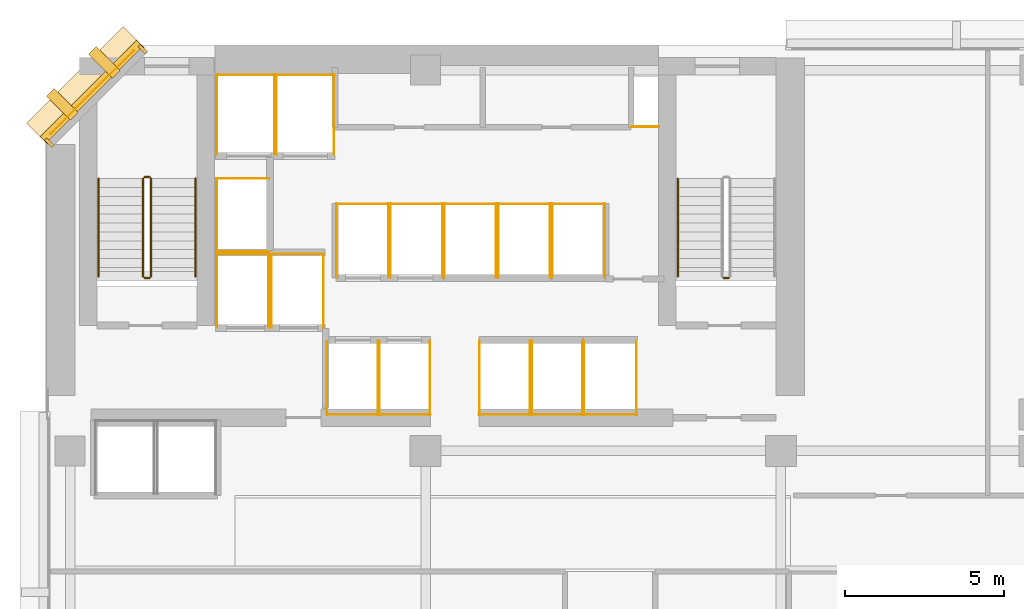
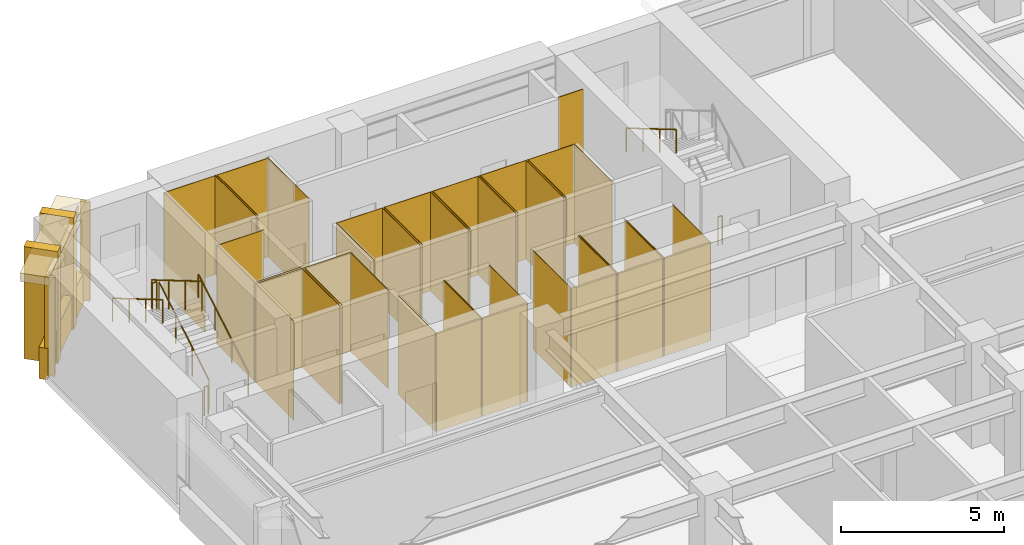
# One storey, part 11 of 13: 53 coverings, 8 railings.
"""IFC4 building model written with IfcOpenShell, lengths in metres."""

from ifc_helpers import new_model, si_unit, direction, frame, origin, origin_2d, place, context, subcontext, project, spatial, polyline, rectangle, circle, outline, extrude, material, layer, layer_set, type_object, element, save


model = new_model("IFC4")

# Units and contexts
model_context = context("Model", 3, precision=1e-05, world=origin(), true_north=direction((0.0, 1.0)))
body_context = subcontext(model_context, "Body", "Model", "MODEL_VIEW")
ifc_project = project(units=[si_unit("LENGTHUNIT", "METRE"), si_unit("AREAUNIT", "SQUARE_METRE"), si_unit("VOLUMEUNIT", "CUBIC_METRE"), si_unit("PLANEANGLEUNIT", "RADIAN"), si_unit("MASSUNIT", "GRAM", prefix="KILO")], contexts=[model_context])

# Site, building, storey
site_placement = place(None, origin())
site = spatial("IfcSite", under=ifc_project, at=site_placement, CompositionType="ELEMENT")
building_placement = place(site_placement, origin())
building = spatial("IfcBuilding", under=site, at=building_placement, Name="Kefirva Bronze Tower", CompositionType="ELEMENT")
storey_placement = place(building_placement, frame((0.0, 0.0, 69.9599609375)))
storey = spatial("IfcBuildingStorey", under=building, at=storey_placement, Name="L16", CompositionType="ELEMENT", Elevation=69.9599609375)

# Coverings
ifc_material_1 = material(Name="Bronze anodised aluminium", Category="aluminium")
ifc_layer_1 = layer(ifc_material_1, 0.02001953125, Name="Bronze anodised aluminium")
ifc_layer_set_1 = layer_set([ifc_layer_1], Name="Bronze anodised aluminium")
covering_type_1 = type_object("IfcCoveringType", Name="Anodised Bronze Spandrel Cladding 20mm", PredefinedType="CLADDING", material=ifc_layer_set_1)
covering_1_placement = place(storey_placement, frame((1.492919921875, 44.507080078125, 3.2900390625), z_axis=(0.0, 0.0, 1.0), x_axis=(-0.707106781187, -0.707106781187, 0.0)))
element("IfcCovering", 1, at=covering_1_placement, inside=storey, type_object=covering_type_1, Name="L16 Bronze Spandrel Cladding 6", PredefinedType="CLADDING", context=body_context, shape_type="SweptSolid", body=[
    extrude(rectangle(XDim=3.719482421875, YDim=0.02001953125, at=origin_2d()), origin(), (0.0, 0.0, 1.0), 0.39990234375),
])
for number, where, z_axis, x_axis, name in (
    (2, (3.08837890625, 45.862060546875, 0.0), (0.0, 0.0, 1.0), (-0.707106781187, -0.707106781187, 0.0), "L16 Facade Joint Closure Panel 6S"),
    (3, (0.137939453125, 42.91162109375, 0.0), (0.0, 0.0, 1.0), (-0.707106781187, -0.707106781187, 0.0), "L16 Facade Joint Closure Panel 6E"),
):
    element("IfcCovering", number, at=place(storey_placement, frame(where, z_axis=z_axis, x_axis=x_axis)), inside=storey, type_object=covering_type_1, Name=name, PredefinedType="CLADDING", context=body_context, shape_type="SweptSolid", body=[
        extrude(rectangle(XDim=0.10009765625, YDim=0.320068359375, at=origin_2d()), origin(), (0.0, 0.0, 1.0), 3.7099609375),
    ])
covering_2_placement = place(storey_placement, frame((1.4716796875, 44.5283203125, -0.16015625), z_axis=(0.0, 0.0, 1.0), x_axis=(-0.707106781187, -0.707106781187, 0.0)))
element("IfcCovering", 4, at=covering_2_placement, inside=storey, type_object=covering_type_1, Name="L16 Streamline Horizontal Spandrel Band 9", PredefinedType="CLADDING", context=body_context, shape_type="SweptSolid", body=[
    extrude(rectangle(XDim=4.28271484375, YDim=0.280029296875, at=origin_2d()), origin(), (0.0, 0.0, 1.0), 1.179931640625),
])
covering_3_placement = place(storey_placement, origin())
element("IfcCovering", 5, at=covering_3_placement, inside=storey, type_object=covering_type_1, Name="L16 Lift FF1 Hoistway Liner N", PredefinedType="CLADDING", context=body_context, shape_type="SweptSolid", body=[
    extrude(outline(polyline([(5.39990234375, 39.389892578125), (7.080078125, 39.389892578125), (7.080078125, 39.409912109375), (5.39990234375, 39.409912109375), (5.39990234375, 39.389892578125)])), origin(), (0.0, 0.0, 1.0), 3.7099609375),
])
covering_4_placement = place(storey_placement, origin())
element("IfcCovering", 6, at=covering_4_placement, inside=storey, type_object=covering_type_1, Name="L16 Lift FF1 Hoistway Liner W", PredefinedType="CLADDING", context=body_context, shape_type="SweptSolid", body=[
    extrude(outline(polyline([(5.409912109375, 37.080078125), (5.429931640625, 37.080078125), (5.429931640625, 39.419921875), (5.409912109375, 39.419921875), (5.409912109375, 37.080078125)])), origin(), (0.0, 0.0, 1.0), 3.7099609375),
])
covering_5_placement = place(storey_placement, origin())
element("IfcCovering", 7, at=covering_5_placement, inside=storey, type_object=covering_type_1, Name="L16 Lift FF1 Hoistway Liner E", PredefinedType="CLADDING", context=body_context, shape_type="SweptSolid", body=[
    extrude(outline(polyline([(7.050048828125, 37.080078125), (7.070068359375, 37.080078125), (7.070068359375, 39.419921875), (7.050048828125, 39.419921875), (7.050048828125, 37.080078125)])), origin(), (0.0, 0.0, 1.0), 3.7099609375),
])
covering_6_placement = place(storey_placement, origin())
element("IfcCovering", 8, at=covering_6_placement, inside=storey, type_object=covering_type_1, Name="L16 Lift FF2 Hoistway Liner N", PredefinedType="CLADDING", context=body_context, shape_type="SweptSolid", body=[
    extrude(outline(polyline([(7.1201171875, 39.389892578125), (8.800048828125, 39.389892578125), (8.800048828125, 39.409912109375), (7.1201171875, 39.409912109375), (7.1201171875, 39.389892578125)])), origin(), (0.0, 0.0, 1.0), 3.7099609375),
])
covering_7_placement = place(storey_placement, origin())
element("IfcCovering", 9, at=covering_7_placement, inside=storey, type_object=covering_type_1, Name="L16 Lift FF2 Hoistway Liner W", PredefinedType="CLADDING", context=body_context, shape_type="SweptSolid", body=[
    extrude(outline(polyline([(7.1298828125, 37.080078125), (7.14990234375, 37.080078125), (7.14990234375, 39.419921875), (7.1298828125, 39.419921875), (7.1298828125, 37.080078125)])), origin(), (0.0, 0.0, 1.0), 3.7099609375),
])
covering_8_placement = place(storey_placement, origin())
element("IfcCovering", 10, at=covering_8_placement, inside=storey, type_object=covering_type_1, Name="L16 Lift FF2 Hoistway Liner E", PredefinedType="CLADDING", context=body_context, shape_type="SweptSolid", body=[
    extrude(outline(polyline([(8.77001953125, 37.080078125), (8.7900390625, 37.080078125), (8.7900390625, 39.419921875), (8.77001953125, 39.419921875), (8.77001953125, 37.080078125)])), origin(), (0.0, 0.0, 1.0), 3.7099609375),
])
covering_9_placement = place(storey_placement, origin())
element("IfcCovering", 11, at=covering_9_placement, inside=storey, type_object=covering_type_1, Name="L16 Lift SV1 Hoistway Liner N", PredefinedType="CLADDING", context=body_context, shape_type="SweptSolid", body=[
    extrude(outline(polyline([(5.39990234375, 45.0400390625), (7.260009765625, 45.0400390625), (7.260009765625, 45.06005859375), (5.39990234375, 45.06005859375), (5.39990234375, 45.0400390625)])), origin(), (0.0, 0.0, 1.0), 3.7099609375),
])
covering_10_placement = place(storey_placement, origin())
element("IfcCovering", 12, at=covering_10_placement, inside=storey, type_object=covering_type_1, Name="L16 Lift SV1 Hoistway Liner W", PredefinedType="CLADDING", context=body_context, shape_type="SweptSolid", body=[
    extrude(outline(polyline([(5.409912109375, 42.530029296875), (5.429931640625, 42.530029296875), (5.429931640625, 45.070068359375), (5.409912109375, 45.070068359375), (5.409912109375, 42.530029296875)])), origin(), (0.0, 0.0, 1.0), 3.7099609375),
])
covering_11_placement = place(storey_placement, origin())
element("IfcCovering", 13, at=covering_11_placement, inside=storey, type_object=covering_type_1, Name="L16 Lift SV1 Hoistway Liner E", PredefinedType="CLADDING", context=body_context, shape_type="SweptSolid", body=[
    extrude(outline(polyline([(7.22998046875, 42.530029296875), (7.25, 42.530029296875), (7.25, 45.070068359375), (7.22998046875, 45.070068359375), (7.22998046875, 42.530029296875)])), origin(), (0.0, 0.0, 1.0), 3.7099609375),
])
covering_12_placement = place(storey_placement, origin())
element("IfcCovering", 14, at=covering_12_placement, inside=storey, type_object=covering_type_1, Name="L16 Lift SV2 Hoistway Liner N", PredefinedType="CLADDING", context=body_context, shape_type="SweptSolid", body=[
    extrude(outline(polyline([(7.280029296875, 45.0400390625), (9.139892578125, 45.0400390625), (9.139892578125, 45.06005859375), (7.280029296875, 45.06005859375), (7.280029296875, 45.0400390625)])), origin(), (0.0, 0.0, 1.0), 3.7099609375),
])
covering_13_placement = place(storey_placement, origin())
element("IfcCovering", 15, at=covering_13_placement, inside=storey, type_object=covering_type_1, Name="L16 Lift SV2 Hoistway Liner W", PredefinedType="CLADDING", context=body_context, shape_type="SweptSolid", body=[
    extrude(outline(polyline([(7.2900390625, 42.530029296875), (7.31005859375, 42.530029296875), (7.31005859375, 45.070068359375), (7.2900390625, 45.070068359375), (7.2900390625, 42.530029296875)])), origin(), (0.0, 0.0, 1.0), 3.7099609375),
])
covering_14_placement = place(storey_placement, origin())
element("IfcCovering", 16, at=covering_14_placement, inside=storey, type_object=covering_type_1, Name="L16 Lift SV2 Hoistway Liner E", PredefinedType="CLADDING", context=body_context, shape_type="SweptSolid", body=[
    extrude(outline(polyline([(9.110107421875, 42.530029296875), (9.1298828125, 42.530029296875), (9.1298828125, 45.070068359375), (9.110107421875, 45.070068359375), (9.110107421875, 42.530029296875)])), origin(), (0.0, 0.0, 1.0), 3.7099609375),
])
covering_15_placement = place(storey_placement, origin())
element("IfcCovering", 17, at=covering_15_placement, inside=storey, type_object=covering_type_1, Name="L16 Lift LP1 Hoistway Liner S", PredefinedType="CLADDING", context=body_context, shape_type="SweptSolid", body=[
    extrude(outline(polyline([(8.8798828125, 34.340087890625), (10.52001953125, 34.340087890625), (10.52001953125, 34.360107421875), (8.8798828125, 34.360107421875), (8.8798828125, 34.340087890625)])), origin(), (0.0, 0.0, 1.0), 3.7099609375),
])
covering_16_placement = place(storey_placement, origin())
element("IfcCovering", 18, at=covering_16_placement, inside=storey, type_object=covering_type_1, Name="L16 Lift LP1 Hoistway Liner W", PredefinedType="CLADDING", context=body_context, shape_type="SweptSolid", body=[
    extrude(outline(polyline([(8.889892578125, 34.330078125), (8.909912109375, 34.330078125), (8.909912109375, 36.669921875), (8.889892578125, 36.669921875), (8.889892578125, 34.330078125)])), origin(), (0.0, 0.0, 1.0), 3.7099609375),
])
covering_17_placement = place(storey_placement, origin())
element("IfcCovering", 19, at=covering_17_placement, inside=storey, type_object=covering_type_1, Name="L16 Lift LP1 Hoistway Liner E", PredefinedType="CLADDING", context=body_context, shape_type="SweptSolid", body=[
    extrude(outline(polyline([(10.489990234375, 34.330078125), (10.510009765625, 34.330078125), (10.510009765625, 36.669921875), (10.489990234375, 36.669921875), (10.489990234375, 34.330078125)])), origin(), (0.0, 0.0, 1.0), 3.7099609375),
])
covering_18_placement = place(storey_placement, origin())
element("IfcCovering", 20, at=covering_18_placement, inside=storey, type_object=covering_type_1, Name="L16 Lift LP2 Hoistway Liner S", PredefinedType="CLADDING", context=body_context, shape_type="SweptSolid", body=[
    extrude(outline(polyline([(10.52001953125, 34.340087890625), (12.159912109375, 34.340087890625), (12.159912109375, 34.360107421875), (10.52001953125, 34.360107421875), (10.52001953125, 34.340087890625)])), origin(), (0.0, 0.0, 1.0), 3.7099609375),
])
covering_19_placement = place(storey_placement, origin())
element("IfcCovering", 21, at=covering_19_placement, inside=storey, type_object=covering_type_1, Name="L16 Lift LP2 Hoistway Liner W", PredefinedType="CLADDING", context=body_context, shape_type="SweptSolid", body=[
    extrude(outline(polyline([(10.530029296875, 34.330078125), (10.550048828125, 34.330078125), (10.550048828125, 36.669921875), (10.530029296875, 36.669921875), (10.530029296875, 34.330078125)])), origin(), (0.0, 0.0, 1.0), 3.7099609375),
])
covering_20_placement = place(storey_placement, origin())
element("IfcCovering", 22, at=covering_20_placement, inside=storey, type_object=covering_type_1, Name="L16 Lift LP2 Hoistway Liner E", PredefinedType="CLADDING", context=body_context, shape_type="SweptSolid", body=[
    extrude(outline(polyline([(12.1298828125, 34.330078125), (12.14990234375, 34.330078125), (12.14990234375, 36.669921875), (12.1298828125, 36.669921875), (12.1298828125, 34.330078125)])), origin(), (0.0, 0.0, 1.0), 3.7099609375),
])
covering_21_placement = place(storey_placement, origin())
element("IfcCovering", 23, at=covering_21_placement, inside=storey, type_object=covering_type_1, Name="L16 Lift LP3 Hoistway Liner N", PredefinedType="CLADDING", context=body_context, shape_type="SweptSolid", body=[
    extrude(outline(polyline([(9.179931640625, 40.969970703125), (10.85009765625, 40.969970703125), (10.85009765625, 40.989990234375), (9.179931640625, 40.989990234375), (9.179931640625, 40.969970703125)])), origin(), (0.0, 0.0, 1.0), 3.7099609375),
])
covering_22_placement = place(storey_placement, origin())
element("IfcCovering", 24, at=covering_22_placement, inside=storey, type_object=covering_type_1, Name="L16 Lift LP3 Hoistway Liner W", PredefinedType="CLADDING", context=body_context, shape_type="SweptSolid", body=[
    extrude(outline(polyline([(9.18994140625, 38.659912109375), (9.2099609375, 38.659912109375), (9.2099609375, 41.0), (9.18994140625, 41.0), (9.18994140625, 38.659912109375)])), origin(), (0.0, 0.0, 1.0), 3.7099609375),
])
covering_23_placement = place(storey_placement, origin())
element("IfcCovering", 25, at=covering_23_placement, inside=storey, type_object=covering_type_1, Name="L16 Lift LP3 Hoistway Liner E", PredefinedType="CLADDING", context=body_context, shape_type="SweptSolid", body=[
    extrude(outline(polyline([(10.820068359375, 38.659912109375), (10.840087890625, 38.659912109375), (10.840087890625, 41.0), (10.820068359375, 41.0), (10.820068359375, 38.659912109375)])), origin(), (0.0, 0.0, 1.0), 3.7099609375),
])
covering_24_placement = place(storey_placement, origin())
element("IfcCovering", 26, at=covering_24_placement, inside=storey, type_object=covering_type_1, Name="L16 Lift LP4 Hoistway Liner N", PredefinedType="CLADDING", context=body_context, shape_type="SweptSolid", body=[
    extrude(outline(polyline([(10.8798828125, 40.969970703125), (12.550048828125, 40.969970703125), (12.550048828125, 40.989990234375), (10.8798828125, 40.989990234375), (10.8798828125, 40.969970703125)])), origin(), (0.0, 0.0, 1.0), 3.7099609375),
])
covering_25_placement = place(storey_placement, origin())
element("IfcCovering", 27, at=covering_25_placement, inside=storey, type_object=covering_type_1, Name="L16 Lift LP4 Hoistway Liner W", PredefinedType="CLADDING", context=body_context, shape_type="SweptSolid", body=[
    extrude(outline(polyline([(10.889892578125, 38.659912109375), (10.909912109375, 38.659912109375), (10.909912109375, 41.0), (10.889892578125, 41.0), (10.889892578125, 38.659912109375)])), origin(), (0.0, 0.0, 1.0), 3.7099609375),
])
covering_26_placement = place(storey_placement, origin())
element("IfcCovering", 28, at=covering_26_placement, inside=storey, type_object=covering_type_1, Name="L16 Lift LP4 Hoistway Liner E", PredefinedType="CLADDING", context=body_context, shape_type="SweptSolid", body=[
    extrude(outline(polyline([(12.52001953125, 38.659912109375), (12.5400390625, 38.659912109375), (12.5400390625, 41.0), (12.52001953125, 41.0), (12.52001953125, 38.659912109375)])), origin(), (0.0, 0.0, 1.0), 3.7099609375),
])
covering_27_placement = place(storey_placement, origin())
element("IfcCovering", 29, at=covering_27_placement, inside=storey, type_object=covering_type_1, Name="L16 Lift MP1 Hoistway Liner S", PredefinedType="CLADDING", context=body_context, shape_type="SweptSolid", body=[
    extrude(outline(polyline([(13.679931640625, 34.340087890625), (15.320068359375, 34.340087890625), (15.320068359375, 34.360107421875), (13.679931640625, 34.360107421875), (13.679931640625, 34.340087890625)])), origin(), (0.0, 0.0, 1.0), 3.7099609375),
])
covering_28_placement = place(storey_placement, origin())
element("IfcCovering", 30, at=covering_28_placement, inside=storey, type_object=covering_type_1, Name="L16 Lift MP1 Hoistway Liner W", PredefinedType="CLADDING", context=body_context, shape_type="SweptSolid", body=[
    extrude(outline(polyline([(13.68994140625, 34.330078125), (13.7099609375, 34.330078125), (13.7099609375, 36.669921875), (13.68994140625, 36.669921875), (13.68994140625, 34.330078125)])), origin(), (0.0, 0.0, 1.0), 3.7099609375),
])
covering_29_placement = place(storey_placement, origin())
element("IfcCovering", 31, at=covering_29_placement, inside=storey, type_object=covering_type_1, Name="L16 Lift MP1 Hoistway Liner E", PredefinedType="CLADDING", context=body_context, shape_type="SweptSolid", body=[
    extrude(outline(polyline([(15.2900390625, 34.330078125), (15.31005859375, 34.330078125), (15.31005859375, 36.669921875), (15.2900390625, 36.669921875), (15.2900390625, 34.330078125)])), origin(), (0.0, 0.0, 1.0), 3.7099609375),
])
covering_30_placement = place(storey_placement, origin())
element("IfcCovering", 32, at=covering_30_placement, inside=storey, type_object=covering_type_1, Name="L16 Lift MP2 Hoistway Liner S", PredefinedType="CLADDING", context=body_context, shape_type="SweptSolid", body=[
    extrude(outline(polyline([(15.330078125, 34.340087890625), (16.969970703125, 34.340087890625), (16.969970703125, 34.360107421875), (15.330078125, 34.360107421875), (15.330078125, 34.340087890625)])), origin(), (0.0, 0.0, 1.0), 3.7099609375),
])
covering_31_placement = place(storey_placement, origin())
element("IfcCovering", 33, at=covering_31_placement, inside=storey, type_object=covering_type_1, Name="L16 Lift MP2 Hoistway Liner W", PredefinedType="CLADDING", context=body_context, shape_type="SweptSolid", body=[
    extrude(outline(polyline([(15.340087890625, 34.330078125), (15.360107421875, 34.330078125), (15.360107421875, 36.669921875), (15.340087890625, 36.669921875), (15.340087890625, 34.330078125)])), origin(), (0.0, 0.0, 1.0), 3.7099609375),
])
covering_32_placement = place(storey_placement, origin())
element("IfcCovering", 34, at=covering_32_placement, inside=storey, type_object=covering_type_1, Name="L16 Lift MP2 Hoistway Liner E", PredefinedType="CLADDING", context=body_context, shape_type="SweptSolid", body=[
    extrude(outline(polyline([(16.93994140625, 34.330078125), (16.9599609375, 34.330078125), (16.9599609375, 36.669921875), (16.93994140625, 36.669921875), (16.93994140625, 34.330078125)])), origin(), (0.0, 0.0, 1.0), 3.7099609375),
])
covering_33_placement = place(storey_placement, origin())
element("IfcCovering", 35, at=covering_33_placement, inside=storey, type_object=covering_type_1, Name="L16 Lift MP3 Hoistway Liner N", PredefinedType="CLADDING", context=body_context, shape_type="SweptSolid", body=[
    extrude(outline(polyline([(12.580078125, 40.969970703125), (14.25, 40.969970703125), (14.25, 40.989990234375), (12.580078125, 40.989990234375), (12.580078125, 40.969970703125)])), origin(), (0.0, 0.0, 1.0), 3.7099609375),
])
covering_34_placement = place(storey_placement, origin())
element("IfcCovering", 36, at=covering_34_placement, inside=storey, type_object=covering_type_1, Name="L16 Lift MP3 Hoistway Liner W", PredefinedType="CLADDING", context=body_context, shape_type="SweptSolid", body=[
    extrude(outline(polyline([(12.590087890625, 38.659912109375), (12.610107421875, 38.659912109375), (12.610107421875, 41.0), (12.590087890625, 41.0), (12.590087890625, 38.659912109375)])), origin(), (0.0, 0.0, 1.0), 3.7099609375),
])
covering_35_placement = place(storey_placement, origin())
element("IfcCovering", 37, at=covering_35_placement, inside=storey, type_object=covering_type_1, Name="L16 Lift MP3 Hoistway Liner E", PredefinedType="CLADDING", context=body_context, shape_type="SweptSolid", body=[
    extrude(outline(polyline([(14.219970703125, 38.659912109375), (14.239990234375, 38.659912109375), (14.239990234375, 41.0), (14.219970703125, 41.0), (14.219970703125, 38.659912109375)])), origin(), (0.0, 0.0, 1.0), 3.7099609375),
])
covering_36_placement = place(storey_placement, origin())
element("IfcCovering", 38, at=covering_36_placement, inside=storey, type_object=covering_type_1, Name="L16 Lift MP4 Hoistway Liner N", PredefinedType="CLADDING", context=body_context, shape_type="SweptSolid", body=[
    extrude(outline(polyline([(14.280029296875, 40.969970703125), (15.949951171875, 40.969970703125), (15.949951171875, 40.989990234375), (14.280029296875, 40.989990234375), (14.280029296875, 40.969970703125)])), origin(), (0.0, 0.0, 1.0), 3.7099609375),
])
covering_37_placement = place(storey_placement, origin())
element("IfcCovering", 39, at=covering_37_placement, inside=storey, type_object=covering_type_1, Name="L16 Lift MP4 Hoistway Liner W", PredefinedType="CLADDING", context=body_context, shape_type="SweptSolid", body=[
    extrude(outline(polyline([(14.2900390625, 38.659912109375), (14.31005859375, 38.659912109375), (14.31005859375, 41.0), (14.2900390625, 41.0), (14.2900390625, 38.659912109375)])), origin(), (0.0, 0.0, 1.0), 3.7099609375),
])
covering_38_placement = place(storey_placement, origin())
element("IfcCovering", 40, at=covering_38_placement, inside=storey, type_object=covering_type_1, Name="L16 Lift MP4 Hoistway Liner E", PredefinedType="CLADDING", context=body_context, shape_type="SweptSolid", body=[
    extrude(outline(polyline([(15.919921875, 38.659912109375), (15.93994140625, 38.659912109375), (15.93994140625, 41.0), (15.919921875, 41.0), (15.919921875, 38.659912109375)])), origin(), (0.0, 0.0, 1.0), 3.7099609375),
])
covering_39_placement = place(storey_placement, origin())
element("IfcCovering", 41, at=covering_39_placement, inside=storey, type_object=covering_type_1, Name="L16 Lift HP1 Hoistway Liner S", PredefinedType="CLADDING", context=body_context, shape_type="SweptSolid", body=[
    extrude(outline(polyline([(16.97998046875, 34.340087890625), (18.669921875, 34.340087890625), (18.669921875, 34.360107421875), (16.97998046875, 34.360107421875), (16.97998046875, 34.340087890625)])), origin(), (0.0, 0.0, 1.0), 3.7099609375),
])
covering_40_placement = place(storey_placement, origin())
element("IfcCovering", 42, at=covering_40_placement, inside=storey, type_object=covering_type_1, Name="L16 Lift HP1 Hoistway Liner W", PredefinedType="CLADDING", context=body_context, shape_type="SweptSolid", body=[
    extrude(outline(polyline([(16.989990234375, 34.330078125), (17.010009765625, 34.330078125), (17.010009765625, 36.669921875), (16.989990234375, 36.669921875), (16.989990234375, 34.330078125)])), origin(), (0.0, 0.0, 1.0), 3.7099609375),
])
covering_41_placement = place(storey_placement, origin())
element("IfcCovering", 43, at=covering_41_placement, inside=storey, type_object=covering_type_1, Name="L16 Lift HP1 Hoistway Liner E", PredefinedType="CLADDING", context=body_context, shape_type="SweptSolid", body=[
    extrude(outline(polyline([(18.639892578125, 34.330078125), (18.659912109375, 34.330078125), (18.659912109375, 36.669921875), (18.639892578125, 36.669921875), (18.639892578125, 34.330078125)])), origin(), (0.0, 0.0, 1.0), 3.7099609375),
])
covering_42_placement = place(storey_placement, origin())
element("IfcCovering", 44, at=covering_42_placement, inside=storey, type_object=covering_type_1, Name="L16 Lift HP2 Hoistway Liner N", PredefinedType="CLADDING", context=body_context, shape_type="SweptSolid", body=[
    extrude(outline(polyline([(15.97998046875, 40.969970703125), (17.669921875, 40.969970703125), (17.669921875, 40.989990234375), (15.97998046875, 40.989990234375), (15.97998046875, 40.969970703125)])), origin(), (0.0, 0.0, 1.0), 3.7099609375),
])
covering_43_placement = place(storey_placement, origin())
element("IfcCovering", 45, at=covering_43_placement, inside=storey, type_object=covering_type_1, Name="L16 Lift HP2 Hoistway Liner W", PredefinedType="CLADDING", context=body_context, shape_type="SweptSolid", body=[
    extrude(outline(polyline([(15.989990234375, 38.659912109375), (16.010009765625, 38.659912109375), (16.010009765625, 41.0), (15.989990234375, 41.0), (15.989990234375, 38.659912109375)])), origin(), (0.0, 0.0, 1.0), 3.7099609375),
])
covering_44_placement = place(storey_placement, origin())
element("IfcCovering", 46, at=covering_44_placement, inside=storey, type_object=covering_type_1, Name="L16 Lift HP2 Hoistway Liner E", PredefinedType="CLADDING", context=body_context, shape_type="SweptSolid", body=[
    extrude(outline(polyline([(17.639892578125, 38.659912109375), (17.659912109375, 38.659912109375), (17.659912109375, 41.0), (17.639892578125, 41.0), (17.639892578125, 38.659912109375)])), origin(), (0.0, 0.0, 1.0), 3.7099609375),
])
covering_45_placement = place(storey_placement, origin())
element("IfcCovering", 47, at=covering_45_placement, inside=storey, type_object=covering_type_1, Name="L16 Lift HP3 Hoistway Liner N", PredefinedType="CLADDING", context=body_context, shape_type="SweptSolid", body=[
    extrude(outline(polyline([(5.39990234375, 41.77001953125), (7.080078125, 41.77001953125), (7.080078125, 41.7900390625), (5.39990234375, 41.7900390625), (5.39990234375, 41.77001953125)])), origin(), (0.0, 0.0, 1.0), 3.7099609375),
])
covering_46_placement = place(storey_placement, origin())
element("IfcCovering", 48, at=covering_46_placement, inside=storey, type_object=covering_type_1, Name="L16 Lift HP3 Hoistway Liner S", PredefinedType="CLADDING", context=body_context, shape_type="SweptSolid", body=[
    extrude(outline(polyline([(5.39990234375, 39.469970703125), (7.080078125, 39.469970703125), (7.080078125, 39.489990234375), (5.39990234375, 39.489990234375), (5.39990234375, 39.469970703125)])), origin(), (0.0, 0.0, 1.0), 3.7099609375),
])
covering_47_placement = place(storey_placement, origin())
element("IfcCovering", 49, at=covering_47_placement, inside=storey, type_object=covering_type_1, Name="L16 Lift HP3 Hoistway Liner W", PredefinedType="CLADDING", context=body_context, shape_type="SweptSolid", body=[
    extrude(outline(polyline([(5.409912109375, 39.4599609375), (5.429931640625, 39.4599609375), (5.429931640625, 41.800048828125), (5.409912109375, 41.800048828125), (5.409912109375, 39.4599609375)])), origin(), (0.0, 0.0, 1.0), 3.7099609375),
])
covering_48_placement = place(storey_placement, origin())
element("IfcCovering", 50, at=covering_48_placement, inside=storey, type_object=covering_type_1, Name="L16 Core MEP Riser Shaft Liner South", PredefinedType="CLADDING", context=body_context, shape_type="SweptSolid", body=[
    extrude(outline(polyline([(18.47998046875, 43.39990234375), (19.360107421875, 43.39990234375), (19.360107421875, 43.429931640625), (18.47998046875, 43.429931640625), (18.47998046875, 43.39990234375)])), origin(), (0.0, 0.0, 1.0), 3.7099609375),
])

# Railings
ifc_material_2 = material(Name="Stainless steel 316", Category="steel")
railing_type_1 = type_object("IfcRailingType", Name="Interior Stair Guardrail 1100mm", PredefinedType="GUARDRAIL", material=ifc_material_2)
railing_1_placement = place(storey_placement, frame((3.35009765625, 38.699951171875, 0.1650390625)))
element("IfcRailing", 51, at=railing_1_placement, inside=storey, type_object=railing_type_1, Name="L16 ST-1 stair guard 1", PredefinedType="GUARDRAIL", context=body_context, shape_type="SweptSolid", body=[
    extrude(circle(Radius=0.02392578125, at=origin_2d()), frame((0.0, 0.0, 1.076171875), z_axis=(0.0, 0.861551262678, 0.507670583921), x_axis=(-1.0, 0.0, 0.0)), (0.0, 0.0, 1.0), 3.574951171875),
    extrude(circle(Radius=0.02099609375, at=origin_2d()), origin(), (0.0, 0.0, 1.0), 1.052001953125),
    extrude(circle(Radius=0.02099609375, at=origin_2d()), frame((0.0, 1.026611328125, 0.60498046875)), (0.0, 0.0, 1.0), 1.052001953125),
    extrude(circle(Radius=0.02099609375, at=origin_2d()), frame((0.0, 2.053466796875, 1.2099609375)), (0.0, 0.0, 1.0), 1.052001953125),
    extrude(circle(Radius=0.02099609375, at=origin_2d()), frame((0.0, 3.080078125, 1.81494140625)), (0.0, 0.0, 1.0), 1.052001953125),
])
railing_2_placement = place(storey_placement, frame((3.300048828125, 41.830078125, 1.97998046875)))
element("IfcRailing", 52, at=railing_2_placement, inside=storey, type_object=railing_type_1, Name="L16 ST-1 stair guard 2", PredefinedType="GUARDRAIL", context=body_context, shape_type="SweptSolid", body=[
    extrude(circle(Radius=0.02392578125, at=origin_2d()), frame((0.0, 0.0, 1.076171875), z_axis=(-1.0, 0.0, 0.0), x_axis=(0.0, -1.0, 0.0)), (0.0, 0.0, 1.0), 0.150146484375),
    extrude(circle(Radius=0.02099609375, at=origin_2d()), origin(), (0.0, 0.0, 1.0), 1.052001953125),
    extrude(circle(Radius=0.02099609375, at=origin_2d()), frame((-0.150146484375, 0.0, 0.0)), (0.0, 0.0, 1.0), 1.052001953125),
])
railing_3_placement = place(storey_placement, frame((3.10009765625, 41.780029296875, 2.14501953125)))
element("IfcRailing", 53, at=railing_3_placement, inside=storey, type_object=railing_type_1, Name="L16 ST-1 stair guard 3", PredefinedType="GUARDRAIL", context=body_context, shape_type="SweptSolid", body=[
    extrude(circle(Radius=0.02392578125, at=origin_2d()), frame((0.0, 0.0, 1.076171875), z_axis=(0.0, -0.861551262678, 0.507670583921), x_axis=(1.0, 0.0, 0.0)), (0.0, 0.0, 1.0), 3.574951171875),
    extrude(circle(Radius=0.02099609375, at=origin_2d()), origin(), (0.0, 0.0, 1.0), 1.052001953125),
    extrude(circle(Radius=0.02099609375, at=origin_2d()), frame((0.0, -1.026611328125, 0.60498046875)), (0.0, 0.0, 1.0), 1.052001953125),
    extrude(circle(Radius=0.02099609375, at=origin_2d()), frame((0.0, -2.053466796875, 1.2099609375)), (0.0, 0.0, 1.0), 1.052001953125),
    extrude(circle(Radius=0.02099609375, at=origin_2d()), frame((0.0, -3.080078125, 1.81494140625)), (0.0, 0.0, 1.0), 1.052001953125),
])
for number, where, name in (
    (54, (3.300048828125, 38.64990234375, 0.0), "L16 ST-1 stair guard 4"),
    (55, (21.550048828125, 38.64990234375, 0.0), "L16 ST-2 stair guard 4"),
):
    element("IfcRailing", number, at=place(storey_placement, frame(where)), inside=storey, type_object=railing_type_1, Name=name, PredefinedType="GUARDRAIL", context=body_context, shape_type="SweptSolid", body=[
        extrude(circle(Radius=0.02392578125, at=origin_2d()), frame((0.0, 0.0, 1.076171875), z_axis=(-1.0, 0.0, 0.0), x_axis=(0.0, -1.0, 0.0)), (0.0, 0.0, 1.0), 0.150146484375),
        extrude(circle(Radius=0.02099609375, at=origin_2d()), origin(), (0.0, 0.0, 1.0), 1.052001953125),
        extrude(circle(Radius=0.02099609375, at=origin_2d()), frame((-0.150146484375, 0.0, 0.0)), (0.0, 0.0, 1.0), 1.052001953125),
    ])
railing_type_2 = type_object("IfcRailingType", Name="Stair Pitch Handrail 900mm", PredefinedType="HANDRAIL", material=ifc_material_2)
railing_4_placement = place(storey_placement, frame((4.75, 38.699951171875, 0.1650390625)))
element("IfcRailing", 56, at=railing_4_placement, inside=storey, type_object=railing_type_2, Name="L16 ST-1 stair handrail 1", PredefinedType="HANDRAIL", context=body_context, shape_type="SweptSolid", body=[
    extrude(circle(Radius=0.02392578125, at=origin_2d()), frame((0.0, 0.0, 0.8759765625), z_axis=(0.0, 0.861551262678, 0.507670583921), x_axis=(-1.0, 0.0, 0.0)), (0.0, 0.0, 1.0), 3.574951171875),
    extrude(circle(Radius=0.02099609375, at=origin_2d()), origin(), (0.0, 0.0, 1.0), 0.851806640625),
    extrude(circle(Radius=0.02099609375, at=origin_2d()), frame((0.0, 1.026611328125, 0.60498046875)), (0.0, 0.0, 1.0), 0.851806640625),
    extrude(circle(Radius=0.02099609375, at=origin_2d()), frame((0.0, 2.053466796875, 1.2099609375)), (0.0, 0.0, 1.0), 0.851806640625),
    extrude(circle(Radius=0.02099609375, at=origin_2d()), frame((0.0, 3.080078125, 1.81494140625)), (0.0, 0.0, 1.0), 0.851806640625),
])
for number, where, name in (
    (57, (1.699951171875, 41.780029296875, 2.14501953125), "L16 ST-1 stair handrail 2"),
    (58, (19.949951171875, 41.780029296875, 2.14501953125), "L16 ST-2 stair handrail 2"),
):
    element("IfcRailing", number, at=place(storey_placement, frame(where)), inside=storey, type_object=railing_type_2, Name=name, PredefinedType="HANDRAIL", context=body_context, shape_type="SweptSolid", body=[
        extrude(circle(Radius=0.02392578125, at=origin_2d()), frame((0.0, 0.0, 0.8759765625), z_axis=(0.0, -0.861551262678, 0.507670583921), x_axis=(1.0, 0.0, 0.0)), (0.0, 0.0, 1.0), 3.574951171875),
        extrude(circle(Radius=0.02099609375, at=origin_2d()), origin(), (0.0, 0.0, 1.0), 0.851806640625),
        extrude(circle(Radius=0.02099609375, at=origin_2d()), frame((0.0, -1.026611328125, 0.60498046875)), (0.0, 0.0, 1.0), 0.851806640625),
        extrude(circle(Radius=0.02099609375, at=origin_2d()), frame((0.0, -2.053466796875, 1.2099609375)), (0.0, 0.0, 1.0), 0.851806640625),
        extrude(circle(Radius=0.02099609375, at=origin_2d()), frame((0.0, -3.080078125, 1.81494140625)), (0.0, 0.0, 1.0), 0.851806640625),
    ])

# Coverings
ifc_layer_2 = layer(ifc_material_1, 0.179931640625, Name="Bronze anodised aluminium")
ifc_layer_set_2 = layer_set([ifc_layer_2], Name="Bronze anodised aluminium")
covering_type_2 = type_object("IfcCoveringType", Name="Streamline Bronze Sunshade Eyebrow Cladding 180mm", PredefinedType="CLADDING", material=ifc_layer_set_2)
covering_49_placement = place(storey_placement, frame((1.28076171875, 44.71923828125, 3.39013671875), z_axis=(0.0, 0.0, 1.0), x_axis=(-0.707106781187, -0.707106781187, 0.0)))
element("IfcCovering", 59, at=covering_49_placement, inside=storey, type_object=covering_type_2, Name="L16 Streamline Bronze Sunshade Eyebrow 9", PredefinedType="CLADDING", context=body_context, shape_type="SweptSolid", body=[
    extrude(rectangle(XDim=4.322509765625, YDim=0.93994140625, at=origin_2d()), origin(), (0.0, 0.0, 1.0), 0.320068359375),
])
ifc_layer_3 = layer(ifc_material_1, 0.260009765625, Name="Bronze anodised aluminium")
ifc_layer_set_3 = layer_set([ifc_layer_3], Name="Bronze anodised aluminium")
covering_type_3 = type_object("IfcCoveringType", Name="Unbroken Bronze Buttress Fin Cladding 260mm", PredefinedType="CLADDING", material=ifc_layer_set_3)
for number, where, z_axis, x_axis, name in (
    (60, (1.877197265625, 45.44287109375, -0.25), (0.0, 0.0, 1.0), (-0.707106781187, -0.707106781187, 0.0), "L16 Chamfered Corner Buttress Fin Cladding 23"),
    (61, (0.55712890625, 44.122802734375, -0.25), (0.0, 0.0, 1.0), (-0.707106781187, -0.707106781187, 0.0), "L16 Chamfered Corner Buttress Fin Cladding 24"),
):
    element("IfcCovering", number, at=place(storey_placement, frame(where, z_axis=z_axis, x_axis=x_axis)), inside=storey, type_object=covering_type_3, Name=name, PredefinedType="CLADDING", context=body_context, shape_type="SweptSolid", body=[
        extrude(rectangle(XDim=0.340087890625, YDim=1.080078125, at=origin_2d()), origin(), (0.0, 0.0, 1.0), 4.2099609375),
    ])

save(model, "model.ifc")
